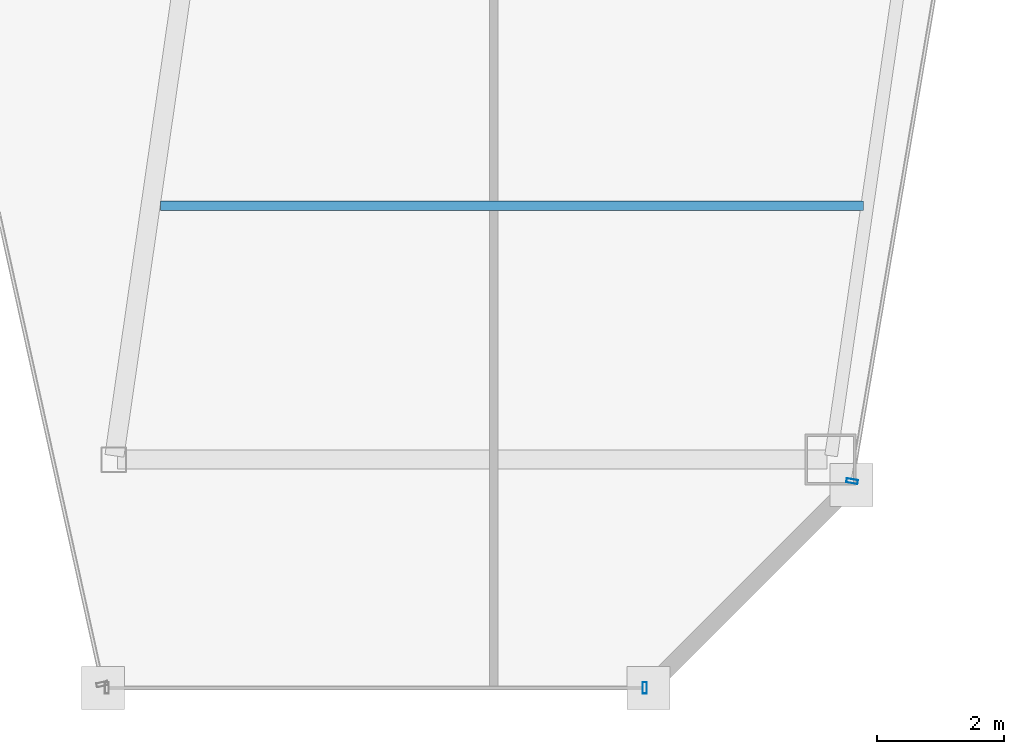
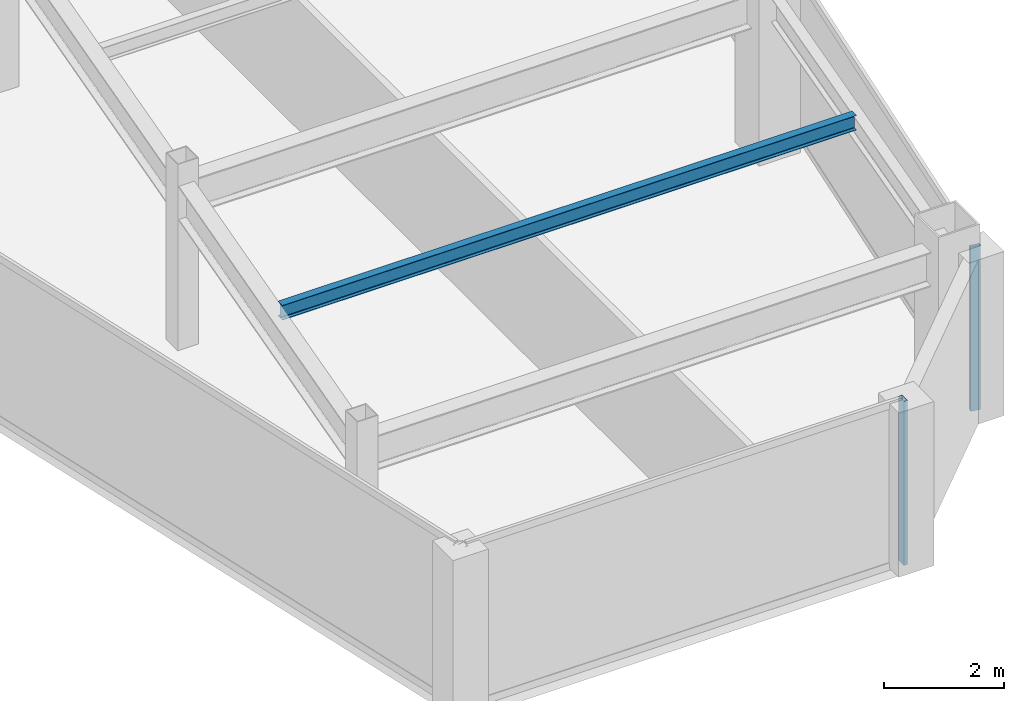
# One storey, part 16 of 34: 2 members, 1 beam, 2 elements without a shape of their own.
"""IFC4 building model written with IfcOpenShell, lengths in metres."""

from ifc_helpers import new_model, si_unit, direction, frame, origin, origin_2d, place, context, subcontext, project, spatial, hollow_rectangle, i_section, extrude, material, material_profile, profile_set, type_object, element, aggregate, save


model = new_model("IFC4")

# Units and contexts
model_context = context("Model", 3, precision=1e-05, world=origin(), true_north=direction((0.0, 1.0)))
body_context = subcontext(model_context, "Body", "Model", "MODEL_VIEW")
ifc_project = project(units=[si_unit("LENGTHUNIT", "METRE"), si_unit("AREAUNIT", "SQUARE_METRE"), si_unit("VOLUMEUNIT", "CUBIC_METRE"), si_unit("PLANEANGLEUNIT", "RADIAN"), si_unit("MASSUNIT", "GRAM", prefix="KILO")], contexts=[model_context])

# Site, building, storey
site_placement = place(None, origin())
site = spatial("IfcSite", under=ifc_project, at=site_placement, CompositionType="ELEMENT")
building_placement = place(site_placement, origin())
building = spatial("IfcBuilding", under=site, at=building_placement, Name="Saevonmaru Cultural Tower", CompositionType="ELEMENT")
storey_placement = place(building_placement, frame((0.0, 0.0, 220.800048828125)))
storey = spatial("IfcBuildingStorey", under=building, at=storey_placement, Name="L51", CompositionType="ELEMENT", Elevation=220.800048828125)

# Beam
ifc_material_1 = material(Name="Steel SM355", Category="steel")
ifc_material_profile_1 = material_profile(ifc_material_1, i_section(OverallWidth=0.14990234375, OverallDepth=0.300048828125, WebThickness=0.006591796875, FlangeThickness=0.009033203125, FilletRadius=0.012939453125, at=origin_2d()), Name="H-300x150x6.5x9")
ifc_profile_set_1 = profile_set([ifc_material_profile_1], Name="Steel SM355")
beam_type = type_object("IfcBeamType", Name="BM-J-H300", PredefinedType="JOIST", material=ifc_profile_set_1)
beam_placement = place(storey_placement, frame((38.80810546875, 20.0, 3.199951171875), z_axis=(1.0, 0.0, 0.0), x_axis=(0.0, 1.0, 0.0)))
element("IfcBeam", 1, at=beam_placement, inside=storey, type_object=beam_type, Name="L51 East Wing Floor Joist 1", PredefinedType="JOIST", context=body_context, shape_type="SweptSolid", body=[
    extrude(i_section(OverallWidth=0.14990234375, OverallDepth=0.300048828125, WebThickness=0.006591796875, FlangeThickness=0.009033203125, FilletRadius=0.012939453125, at=origin_2d()), origin(), (0.0, 0.0, 1.0), 11.081787109375),
])

# Curtain wall, member
ifc_material_2 = material(Name="Satin Bronze Anodised Aluminium", Category="aluminium")
curtain_wall_type = type_object("IfcCurtainWallType", Name="CW-TYP-B", PredefinedType="NOTDEFINED", material=ifc_material_2)
curtain_wall_1_placement = place(storey_placement, origin())
curtain_wall_1 = element("IfcCurtainWall", 2, at=curtain_wall_1_placement, inside=storey, type_object=curtain_wall_type, Name="L51 Unitised Curtain Wall E6", PredefinedType="NOTDEFINED")
ifc_material_profile_2 = material_profile(ifc_material_2, hollow_rectangle(XDim=0.06494140625, YDim=0.179931640625, WallThickness=0.00390625, at=origin_2d()), Name="ALU-MULL-180x65x4")
ifc_profile_set_2 = profile_set([ifc_material_profile_2], Name="Satin Bronze Anodised Aluminium")
member_type = type_object("IfcMemberType", Name="ML-CW-180x65", PredefinedType="MULLION", material=ifc_profile_set_2)
member_1_placement = place(storey_placement, frame((46.442138671875, 12.39990234375, 0.0), z_axis=(0.0, 0.0, 1.0), x_axis=(1.0, 0.0, 0.0)))
member_1 = element("IfcMember", 3, at=member_1_placement, type_object=member_type, Name="CW-TW-L51-E6 mullion 2", PredefinedType="MULLION", context=body_context, shape_type="SweptSolid", body=[
    extrude(hollow_rectangle(XDim=0.06494140625, YDim=0.179931640625, WallThickness=0.00390625, at=origin_2d()), origin(), (0.0, 0.0, 1.0), 3.349853515625),
])
aggregate(curtain_wall_1, [member_1])

curtain_wall_2_placement = place(storey_placement, origin())
curtain_wall_2 = element("IfcCurtainWall", 4, at=curtain_wall_2_placement, inside=storey, type_object=curtain_wall_type, Name="L51 Unitised Curtain Wall E8", PredefinedType="NOTDEFINED")
member_2_placement = place(storey_placement, frame((49.712158203125, 15.6591796875, 0.0), z_axis=(0.0, 0.0, 1.0), x_axis=(0.16692169721, 0.985970155228, 0.0)))
member_2 = element("IfcMember", 5, at=member_2_placement, type_object=member_type, Name="CW-TW-L51-E8 mullion 1", PredefinedType="MULLION", context=body_context, shape_type="SweptSolid", body=[
    extrude(hollow_rectangle(XDim=0.06494140625, YDim=0.179931640625, WallThickness=0.00390625, at=origin_2d()), origin(), (0.0, 0.0, 1.0), 3.349853515625),
])
aggregate(curtain_wall_2, [member_2])

save(model, "model.ifc")
